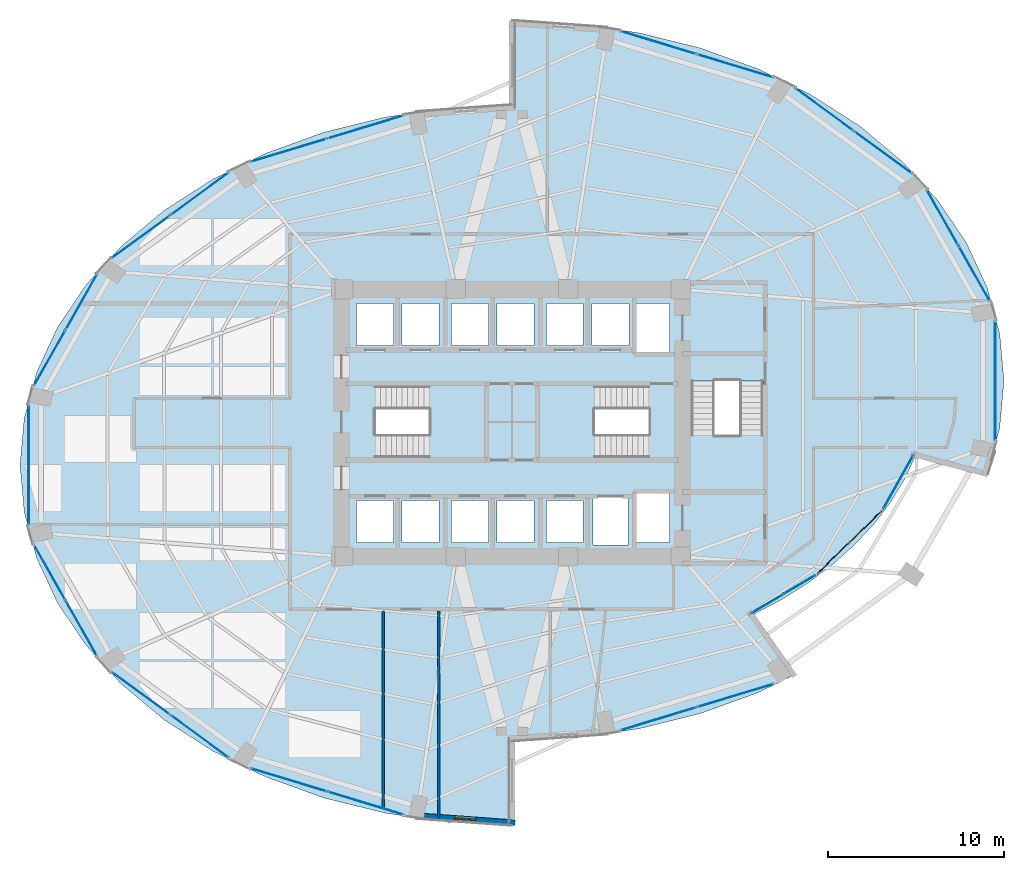
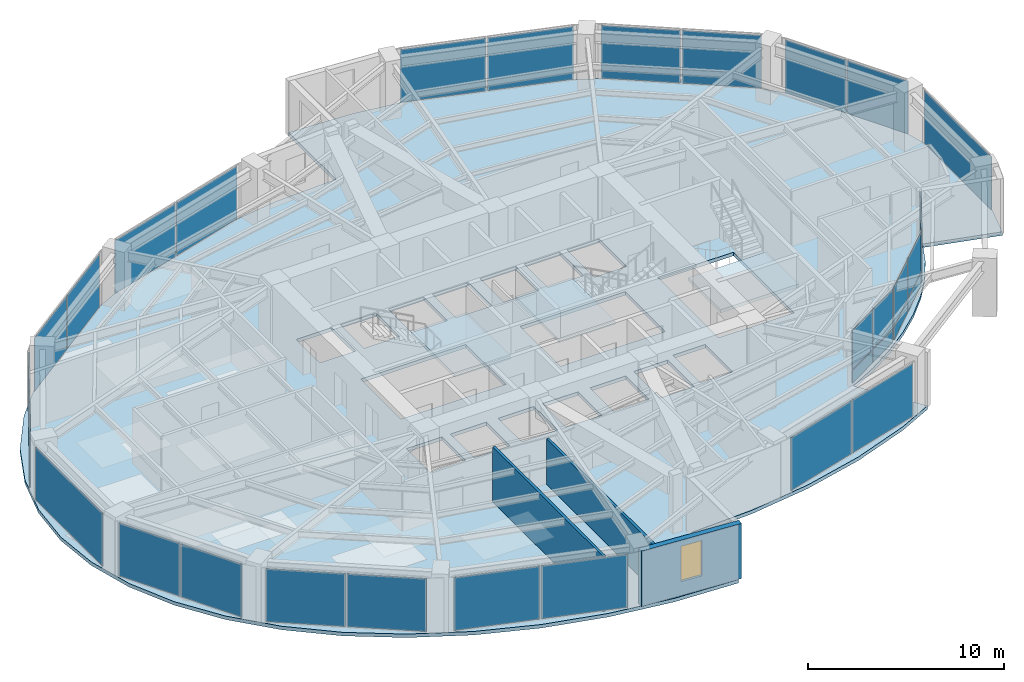
# One storey, part 19 of 24: 32 plates, 4 slabs, 3 walls, 1 window, 1 opening, 18 elements without a shape of their own.
"""IFC4 building model written with IfcOpenShell, lengths in metres."""

from ifc_helpers import new_model, si_unit, direction, frame, frame_2d, origin, origin_2d, place, context, subcontext, project, spatial, polyline, rectangle, outline, extrude, material, layer, layer_set, type_object, element, fill, aggregate, save


model = new_model("IFC4")

# Units and contexts
model_context = context("Model", 3, precision=1e-05, world=origin(), true_north=direction((0.0, 1.0)))
body_context = subcontext(model_context, "Body", "Model", "MODEL_VIEW")
ifc_project = project(units=[si_unit("LENGTHUNIT", "METRE"), si_unit("AREAUNIT", "SQUARE_METRE"), si_unit("VOLUMEUNIT", "CUBIC_METRE"), si_unit("PLANEANGLEUNIT", "RADIAN"), si_unit("MASSUNIT", "GRAM", prefix="KILO")], contexts=[model_context])

# Site, building, storey
site_placement = place(None, origin())
site = spatial("IfcSite", under=ifc_project, at=site_placement, CompositionType="ELEMENT")
building_placement = place(site_placement, origin())
building = spatial("IfcBuilding", under=site, at=building_placement, Name="Lazwardi Medical Tower", CompositionType="ELEMENT")
storey_placement = place(building_placement, frame((0.0, 0.0, 65.327880859375)))
storey = spatial("IfcBuildingStorey", under=building, at=storey_placement, Name="L16", CompositionType="ELEMENT", Elevation=65.327880859375)

# Curtain wall, plates
ifc_material_1 = material(Name="Anodised bronze aluminium and solar control glazing", Category="aluminium")
ifc_layer_1 = layer(ifc_material_1, 0.199951171875)
ifc_layer_set_1 = layer_set([ifc_layer_1], Name="Anodised bronze aluminium and solar control glazing")
curtain_wall_type_1 = type_object("IfcCurtainWallType", Name="CW-SYS-02", PredefinedType="NOTDEFINED", material=ifc_layer_set_1)
curtain_wall_1_placement = place(storey_placement, origin())
curtain_wall_1 = element("IfcCurtainWall", 1, at=curtain_wall_1_placement, inside=storey, type_object=curtain_wall_type_1, Name="L16 Unitised bronze curtain wall CW-02", PredefinedType="NOTDEFINED")
ifc_material_2 = material(Name="Low-e bronze solar control double glazing", Category="glass")
ifc_layer_2 = layer(ifc_material_2, 0.035888671875)
ifc_layer_set_2 = layer_set([ifc_layer_2], Name="Low-e bronze solar control double glazing")
plate_type_1 = type_object("IfcPlateType", Name="PLT-GLZ-01", PredefinedType="CURTAIN_PANEL", material=ifc_layer_set_2)
plate_1_placement = place(storey_placement, frame((44.335693359375, 11.158935546875, 0.0751953125), z_axis=(0.0, 0.0, 1.0), x_axis=(0.957058247129, 0.2898956909, 0.0)))
plate_1 = element("IfcPlate", 2, at=plate_1_placement, type_object=plate_type_1, Name="CW-02 panel 1.1", PredefinedType="CURTAIN_PANEL", context=body_context, shape_type="SweptSolid", body=[
    extrude(rectangle(XDim=4.49658203125, YDim=0.035888671875, at=origin_2d()), origin(), (0.0, 0.0, 1.0), 3.278076171875),
])
plate_2_placement = place(storey_placement, frame((48.7109375, 12.484130859375, 0.0751953125), z_axis=(0.0, 0.0, 1.0), x_axis=(0.957058247129, 0.2898956909, 0.0)))
plate_2 = element("IfcPlate", 3, at=plate_2_placement, type_object=plate_type_1, Name="CW-02 panel 2.1", PredefinedType="CURTAIN_PANEL", context=body_context, shape_type="SweptSolid", body=[
    extrude(rectangle(XDim=4.49658203125, YDim=0.035888671875, at=origin_2d()), origin(), (0.0, 0.0, 1.0), 3.278076171875),
])
aggregate(curtain_wall_1, [plate_1, plate_2])

# Curtain wall, plate
curtain_wall_2_placement = place(storey_placement, origin())
curtain_wall_2 = element("IfcCurtainWall", 4, at=curtain_wall_2_placement, inside=storey, type_object=curtain_wall_type_1, Name="L16 Unitised bronze curtain wall CW-02", PredefinedType="NOTDEFINED")
plate_3_placement = place(storey_placement, frame((63.49853515625, 30.39990234375, 0.0751953125), z_axis=(0.0, 0.0, 1.0), x_axis=(0.0, 1.0, 0.0)))
plate_3 = element("IfcPlate", 5, at=plate_3_placement, type_object=plate_type_1, Name="CW-02 panel 1.1", PredefinedType="CURTAIN_PANEL", context=body_context, shape_type="SweptSolid", body=[
    extrude(rectangle(XDim=6.8330078125, YDim=0.035888671875, at=origin_2d()), origin(), (0.0, 0.0, 1.0), 3.278076171875),
])
aggregate(curtain_wall_2, [plate_3])

# Curtain wall, plates
curtain_wall_3_placement = place(storey_placement, origin())
curtain_wall_3 = element("IfcCurtainWall", 6, at=curtain_wall_3_placement, inside=storey, type_object=curtain_wall_type_1, Name="L16 Unitised bronze curtain wall CW-02", PredefinedType="NOTDEFINED")
plate_4_placement = place(storey_placement, frame((62.3095703125, 36.498779296875, 0.0751953125), z_axis=(0.0, 0.0, 1.0), x_axis=(-0.492854327303, 0.870111838823, 0.0)))
plate_4 = element("IfcPlate", 7, at=plate_4_placement, type_object=plate_type_1, Name="CW-02 panel 1.1", PredefinedType="CURTAIN_PANEL", context=body_context, shape_type="SweptSolid", body=[
    extrude(rectangle(XDim=3.5947265625, YDim=0.035888671875, at=origin_2d()), origin(), (0.0, 0.0, 1.0), 3.278076171875),
])
plate_5_placement = place(storey_placement, frame((60.5009765625, 39.69189453125, 0.0751953125), z_axis=(0.0, 0.0, 1.0), x_axis=(-0.492854327303, 0.870111838823, 0.0)))
plate_5 = element("IfcPlate", 8, at=plate_5_placement, type_object=plate_type_1, Name="CW-02 panel 2.1", PredefinedType="CURTAIN_PANEL", context=body_context, shape_type="SweptSolid", body=[
    extrude(rectangle(XDim=3.5947265625, YDim=0.035888671875, at=origin_2d()), origin(), (0.0, 0.0, 1.0), 3.278076171875),
])
aggregate(curtain_wall_3, [plate_4, plate_5])

curtain_wall_4_placement = place(storey_placement, origin())
curtain_wall_4 = element("IfcCurtainWall", 9, at=curtain_wall_4_placement, inside=storey, type_object=curtain_wall_type_1, Name="L16 Unitised bronze curtain wall CW-02", PredefinedType="NOTDEFINED")
plate_6_placement = place(storey_placement, frame((57.117431640625, 43.39599609375, 0.0751953125), z_axis=(0.0, 0.0, 1.0), x_axis=(-0.807191757663, 0.590289307341, 0.0)))
plate_6 = element("IfcPlate", 10, at=plate_6_placement, type_object=plate_type_1, Name="CW-02 panel 1.1", PredefinedType="CURTAIN_PANEL", context=body_context, shape_type="SweptSolid", body=[
    extrude(rectangle(XDim=4.070068359375, YDim=0.035888671875, at=origin_2d()), origin(), (0.0, 0.0, 1.0), 3.278076171875),
])
plate_7_placement = place(storey_placement, frame((53.771484375, 45.8427734375, 0.0751953125), z_axis=(0.0, 0.0, 1.0), x_axis=(-0.807191757663, 0.590289307341, 0.0)))
plate_7 = element("IfcPlate", 11, at=plate_7_placement, type_object=plate_type_1, Name="CW-02 panel 2.1", PredefinedType="CURTAIN_PANEL", context=body_context, shape_type="SweptSolid", body=[
    extrude(rectangle(XDim=4.070068359375, YDim=0.035888671875, at=origin_2d()), origin(), (0.0, 0.0, 1.0), 3.278076171875),
])
aggregate(curtain_wall_4, [plate_6, plate_7])

curtain_wall_5_placement = place(storey_placement, origin())
curtain_wall_5 = element("IfcCurtainWall", 12, at=curtain_wall_5_placement, inside=storey, type_object=curtain_wall_type_1, Name="L16 Unitised bronze curtain wall CW-02", PredefinedType="NOTDEFINED")
plate_8_placement = place(storey_placement, frame((48.7109375, 48.31591796875, 0.0751953125), z_axis=(0.0, 0.0, 1.0), x_axis=(-0.957058247129, 0.2898956909, 0.0)))
plate_8 = element("IfcPlate", 13, at=plate_8_placement, type_object=plate_type_1, Name="CW-02 panel 1.1", PredefinedType="CURTAIN_PANEL", context=body_context, shape_type="SweptSolid", body=[
    extrude(rectangle(XDim=4.49658203125, YDim=0.035888671875, at=origin_2d()), origin(), (0.0, 0.0, 1.0), 3.278076171875),
])
plate_9_placement = place(storey_placement, frame((44.335693359375, 49.64111328125, 0.0751953125), z_axis=(0.0, 0.0, 1.0), x_axis=(-0.957058247129, 0.2898956909, 0.0)))
plate_9 = element("IfcPlate", 14, at=plate_9_placement, type_object=plate_type_1, Name="CW-02 panel 2.1", PredefinedType="CURTAIN_PANEL", context=body_context, shape_type="SweptSolid", body=[
    extrude(rectangle(XDim=4.49658203125, YDim=0.035888671875, at=origin_2d()), origin(), (0.0, 0.0, 1.0), 3.278076171875),
])
aggregate(curtain_wall_5, [plate_8, plate_9])

curtain_wall_6_placement = place(storey_placement, origin())
curtain_wall_6 = element("IfcCurtainWall", 15, at=curtain_wall_6_placement, inside=storey, type_object=curtain_wall_type_1, Name="L16 Unitised bronze curtain wall CW-02", PredefinedType="NOTDEFINED")
plate_10_placement = place(storey_placement, frame((27.664306640625, 44.841064453125, 0.0751953125), z_axis=(0.0, 0.0, 1.0), x_axis=(-0.957058247129, -0.2898956909, 0.0)))
plate_10 = element("IfcPlate", 16, at=plate_10_placement, type_object=plate_type_1, Name="CW-02 panel 1.1", PredefinedType="CURTAIN_PANEL", context=body_context, shape_type="SweptSolid", body=[
    extrude(rectangle(XDim=4.49658203125, YDim=0.035888671875, at=origin_2d()), origin(), (0.0, 0.0, 1.0), 3.278076171875),
])
plate_11_placement = place(storey_placement, frame((23.2890625, 43.515869140625, 0.0751953125), z_axis=(0.0, 0.0, 1.0), x_axis=(-0.957058247129, -0.2898956909, 0.0)))
plate_11 = element("IfcPlate", 17, at=plate_11_placement, type_object=plate_type_1, Name="CW-02 panel 2.1", PredefinedType="CURTAIN_PANEL", context=body_context, shape_type="SweptSolid", body=[
    extrude(rectangle(XDim=4.49658203125, YDim=0.035888671875, at=origin_2d()), origin(), (0.0, 0.0, 1.0), 3.278076171875),
])
aggregate(curtain_wall_6, [plate_10, plate_11])

curtain_wall_7_placement = place(storey_placement, origin())
curtain_wall_7 = element("IfcCurtainWall", 18, at=curtain_wall_7_placement, inside=storey, type_object=curtain_wall_type_1, Name="L16 Unitised bronze curtain wall CW-02", PredefinedType="NOTDEFINED")
plate_12_placement = place(storey_placement, frame((18.228515625, 41.042724609375, 0.0751953125), z_axis=(0.0, 0.0, 1.0), x_axis=(-0.807191757663, -0.590289307341, 0.0)))
plate_12 = element("IfcPlate", 19, at=plate_12_placement, type_object=plate_type_1, Name="CW-02 panel 1.1", PredefinedType="CURTAIN_PANEL", context=body_context, shape_type="SweptSolid", body=[
    extrude(rectangle(XDim=4.070068359375, YDim=0.035888671875, at=origin_2d()), origin(), (0.0, 0.0, 1.0), 3.278076171875),
])
plate_13_placement = place(storey_placement, frame((14.882568359375, 38.595947265625, 0.0751953125), z_axis=(0.0, 0.0, 1.0), x_axis=(-0.807191757663, -0.590289307341, 0.0)))
plate_13 = element("IfcPlate", 20, at=plate_13_placement, type_object=plate_type_1, Name="CW-02 panel 2.1", PredefinedType="CURTAIN_PANEL", context=body_context, shape_type="SweptSolid", body=[
    extrude(rectangle(XDim=4.070068359375, YDim=0.035888671875, at=origin_2d()), origin(), (0.0, 0.0, 1.0), 3.278076171875),
])
aggregate(curtain_wall_7, [plate_12, plate_13])

curtain_wall_8_placement = place(storey_placement, origin())
curtain_wall_8 = element("IfcCurtainWall", 21, at=curtain_wall_8_placement, inside=storey, type_object=curtain_wall_type_1, Name="L16 Unitised bronze curtain wall CW-02", PredefinedType="NOTDEFINED")
plate_14_placement = place(storey_placement, frame((11.4990234375, 34.89208984375, 0.0751953125), z_axis=(0.0, 0.0, 1.0), x_axis=(-0.492854327303, -0.870111838823, 0.0)))
plate_14 = element("IfcPlate", 22, at=plate_14_placement, type_object=plate_type_1, Name="CW-02 panel 1.1", PredefinedType="CURTAIN_PANEL", context=body_context, shape_type="SweptSolid", body=[
    extrude(rectangle(XDim=3.5947265625, YDim=0.035888671875, at=origin_2d()), origin(), (0.0, 0.0, 1.0), 3.278076171875),
])
plate_15_placement = place(storey_placement, frame((9.6904296875, 31.698974609375, 0.0751953125), z_axis=(0.0, 0.0, 1.0), x_axis=(-0.492854327303, -0.870111838823, 0.0)))
plate_15 = element("IfcPlate", 23, at=plate_15_placement, type_object=plate_type_1, Name="CW-02 panel 2.1", PredefinedType="CURTAIN_PANEL", context=body_context, shape_type="SweptSolid", body=[
    extrude(rectangle(XDim=3.5947265625, YDim=0.035888671875, at=origin_2d()), origin(), (0.0, 0.0, 1.0), 3.278076171875),
])
aggregate(curtain_wall_8, [plate_14, plate_15])

# Curtain wall, plate
curtain_wall_9_placement = place(storey_placement, origin())
curtain_wall_9 = element("IfcCurtainWall", 24, at=curtain_wall_9_placement, inside=storey, type_object=curtain_wall_type_1, Name="L16 Unitised bronze curtain wall CW-02", PredefinedType="NOTDEFINED")
plate_16_placement = place(storey_placement, frame((8.50146484375, 25.60009765625, 0.0751953125), z_axis=(0.0, 0.0, 1.0), x_axis=(0.0, -1.0, 0.0)))
plate_16 = element("IfcPlate", 25, at=plate_16_placement, type_object=plate_type_1, Name="CW-02 panel 1.1", PredefinedType="CURTAIN_PANEL", context=body_context, shape_type="SweptSolid", body=[
    extrude(rectangle(XDim=6.8330078125, YDim=0.035888671875, at=origin_2d()), origin(), (0.0, 0.0, 1.0), 3.278076171875),
])
aggregate(curtain_wall_9, [plate_16])

# Curtain wall, plates
curtain_wall_10_placement = place(storey_placement, origin())
curtain_wall_10 = element("IfcCurtainWall", 26, at=curtain_wall_10_placement, inside=storey, type_object=curtain_wall_type_1, Name="L16 Unitised bronze curtain wall CW-02", PredefinedType="NOTDEFINED")
plate_17_placement = place(storey_placement, frame((9.6904296875, 19.501220703125, 0.0751953125), z_axis=(0.0, 0.0, 1.0), x_axis=(0.492854327303, -0.870111838823, 0.0)))
plate_17 = element("IfcPlate", 27, at=plate_17_placement, type_object=plate_type_1, Name="CW-02 panel 1.1", PredefinedType="CURTAIN_PANEL", context=body_context, shape_type="SweptSolid", body=[
    extrude(rectangle(XDim=3.5947265625, YDim=0.035888671875, at=origin_2d()), origin(), (0.0, 0.0, 1.0), 3.278076171875),
])
plate_18_placement = place(storey_placement, frame((11.4990234375, 16.30810546875, 0.0751953125), z_axis=(0.0, 0.0, 1.0), x_axis=(0.492854327303, -0.870111838823, 0.0)))
plate_18 = element("IfcPlate", 28, at=plate_18_placement, type_object=plate_type_1, Name="CW-02 panel 2.1", PredefinedType="CURTAIN_PANEL", context=body_context, shape_type="SweptSolid", body=[
    extrude(rectangle(XDim=3.5947265625, YDim=0.035888671875, at=origin_2d()), origin(), (0.0, 0.0, 1.0), 3.278076171875),
])
aggregate(curtain_wall_10, [plate_17, plate_18])

curtain_wall_11_placement = place(storey_placement, origin())
curtain_wall_11 = element("IfcCurtainWall", 29, at=curtain_wall_11_placement, inside=storey, type_object=curtain_wall_type_1, Name="L16 Unitised bronze curtain wall CW-02", PredefinedType="NOTDEFINED")
plate_19_placement = place(storey_placement, frame((14.882568359375, 12.60400390625, 0.0751953125), z_axis=(0.0, 0.0, 1.0), x_axis=(0.807191757663, -0.590289307341, 0.0)))
plate_19 = element("IfcPlate", 30, at=plate_19_placement, type_object=plate_type_1, Name="CW-02 panel 1.1", PredefinedType="CURTAIN_PANEL", context=body_context, shape_type="SweptSolid", body=[
    extrude(rectangle(XDim=4.070068359375, YDim=0.035888671875, at=origin_2d()), origin(), (0.0, 0.0, 1.0), 3.278076171875),
])
plate_20_placement = place(storey_placement, frame((18.228515625, 10.1572265625, 0.0751953125), z_axis=(0.0, 0.0, 1.0), x_axis=(0.807191757663, -0.590289307341, 0.0)))
plate_20 = element("IfcPlate", 31, at=plate_20_placement, type_object=plate_type_1, Name="CW-02 panel 2.1", PredefinedType="CURTAIN_PANEL", context=body_context, shape_type="SweptSolid", body=[
    extrude(rectangle(XDim=4.070068359375, YDim=0.035888671875, at=origin_2d()), origin(), (0.0, 0.0, 1.0), 3.278076171875),
])
aggregate(curtain_wall_11, [plate_19, plate_20])

curtain_wall_12_placement = place(storey_placement, origin())
curtain_wall_12 = element("IfcCurtainWall", 32, at=curtain_wall_12_placement, inside=storey, type_object=curtain_wall_type_1, Name="L16 Unitised bronze curtain wall CW-02", PredefinedType="NOTDEFINED")
plate_21_placement = place(storey_placement, frame((23.2890625, 7.68408203125, 0.0751953125), z_axis=(0.0, 0.0, 1.0), x_axis=(0.957058247129, -0.2898956909, 0.0)))
plate_21 = element("IfcPlate", 33, at=plate_21_placement, type_object=plate_type_1, Name="CW-02 panel 1.1", PredefinedType="CURTAIN_PANEL", context=body_context, shape_type="SweptSolid", body=[
    extrude(rectangle(XDim=4.49658203125, YDim=0.035888671875, at=origin_2d()), origin(), (0.0, 0.0, 1.0), 3.278076171875),
])
plate_22_placement = place(storey_placement, frame((27.664306640625, 6.35888671875, 0.0751953125), z_axis=(0.0, 0.0, 1.0), x_axis=(0.957058247129, -0.2898956909, 0.0)))
plate_22 = element("IfcPlate", 34, at=plate_22_placement, type_object=plate_type_1, Name="CW-02 panel 2.1", PredefinedType="CURTAIN_PANEL", context=body_context, shape_type="SweptSolid", body=[
    extrude(rectangle(XDim=4.49658203125, YDim=0.035888671875, at=origin_2d()), origin(), (0.0, 0.0, 1.0), 3.278076171875),
])
aggregate(curtain_wall_12, [plate_21, plate_22])

ifc_layer_3 = layer(ifc_material_1, 0.239990234375)
ifc_layer_set_3 = layer_set([ifc_layer_3], Name="Anodised bronze aluminium and solar control glazing")
curtain_wall_type_2 = type_object("IfcCurtainWallType", Name="CW-SYS-05", PredefinedType="NOTDEFINED", material=ifc_layer_set_3)
curtain_wall_13_placement = place(storey_placement, origin())
curtain_wall_13 = element("IfcCurtainWall", 35, at=curtain_wall_13_placement, inside=storey, type_object=curtain_wall_type_2, Name="L16 Unitised bronze curtain wall CW-05", PredefinedType="NOTDEFINED")
ifc_material_3 = material(Name="Laminated acoustic bronze double glazing", Category="glass")
ifc_layer_4 = layer(ifc_material_3, 0.0419921875)
ifc_layer_set_4 = layer_set([ifc_layer_4], Name="Laminated acoustic bronze double glazing")
plate_type_2 = type_object("IfcPlateType", Name="PLT-GLZ-02", PredefinedType="CURTAIN_PANEL", material=ifc_layer_set_4)
plate_23_placement = place(storey_placement, frame((50.53466796875, 17.711669921875, 0.085205078125), z_axis=(0.0, 0.0, 1.0), x_axis=(0.859770759532, 0.510680174917, 0.0)))
plate_23 = element("IfcPlate", 36, at=plate_23_placement, type_object=plate_type_2, Name="CW-05 panel 1.1", PredefinedType="CURTAIN_PANEL", context=body_context, shape_type="SweptSolid", body=[
    extrude(rectangle(XDim=2.04541015625, YDim=0.0419921875, at=origin_2d()), origin(), (0.0, 0.0, 1.0), 0.7724609375),
])
plate_24_placement = place(storey_placement, frame((50.53466796875, 17.711669921875, 0.942626953125), z_axis=(0.0, 0.0, 1.0), x_axis=(0.859770759532, 0.510680174917, 0.0)))
plate_24 = element("IfcPlate", 37, at=plate_24_placement, type_object=plate_type_2, Name="CW-05 panel 1.2", PredefinedType="CURTAIN_PANEL", context=body_context, shape_type="SweptSolid", body=[
    extrude(rectangle(XDim=2.04541015625, YDim=0.0419921875, at=origin_2d()), origin(), (0.0, 0.0, 1.0), 2.400390625),
])
plate_25_placement = place(storey_placement, frame((52.3662109375, 18.799560546875, 0.085205078125), z_axis=(0.0, 0.0, 1.0), x_axis=(0.859770759532, 0.510680174917, 0.0)))
plate_25 = element("IfcPlate", 38, at=plate_25_placement, type_object=plate_type_2, Name="CW-05 panel 2.1", PredefinedType="CURTAIN_PANEL", context=body_context, shape_type="SweptSolid", body=[
    extrude(rectangle(XDim=2.04541015625, YDim=0.0419921875, at=origin_2d()), origin(), (0.0, 0.0, 1.0), 0.7724609375),
])
plate_26_placement = place(storey_placement, frame((52.3662109375, 18.799560546875, 0.942626953125), z_axis=(0.0, 0.0, 1.0), x_axis=(0.859770759532, 0.510680174917, 0.0)))
plate_26 = element("IfcPlate", 39, at=plate_26_placement, type_object=plate_type_2, Name="CW-05 panel 2.2", PredefinedType="CURTAIN_PANEL", context=body_context, shape_type="SweptSolid", body=[
    extrude(rectangle(XDim=2.04541015625, YDim=0.0419921875, at=origin_2d()), origin(), (0.0, 0.0, 1.0), 2.400390625),
])
aggregate(curtain_wall_13, [plate_23, plate_24, plate_25, plate_26])

curtain_wall_14_placement = place(storey_placement, origin())
curtain_wall_14 = element("IfcCurtainWall", 40, at=curtain_wall_14_placement, inside=storey, type_object=curtain_wall_type_2, Name="L16 Unitised bronze curtain wall CW-05", PredefinedType="NOTDEFINED")
plate_27_placement = place(storey_placement, frame((57.986083984375, 24.63330078125, 0.085205078125), z_axis=(0.0, 0.0, 1.0), x_axis=(0.489795845779, 0.871837157649, 0.0)))
plate_27 = element("IfcPlate", 41, at=plate_27_placement, type_object=plate_type_2, Name="CW-05 panel 1.1", PredefinedType="CURTAIN_PANEL", context=body_context, shape_type="SweptSolid", body=[
    extrude(rectangle(XDim=3.4521484375, YDim=0.0419921875, at=origin_2d()), origin(), (0.0, 0.0, 1.0), 0.7724609375),
])
plate_28_placement = place(storey_placement, frame((57.986083984375, 24.63330078125, 0.942626953125), z_axis=(0.0, 0.0, 1.0), x_axis=(0.489795845779, 0.871837157649, 0.0)))
plate_28 = element("IfcPlate", 42, at=plate_28_placement, type_object=plate_type_2, Name="CW-05 panel 1.2", PredefinedType="CURTAIN_PANEL", context=body_context, shape_type="SweptSolid", body=[
    extrude(rectangle(XDim=3.4521484375, YDim=0.0419921875, at=origin_2d()), origin(), (0.0, 0.0, 1.0), 2.400390625),
])
aggregate(curtain_wall_14, [plate_27, plate_28])

curtain_wall_15_placement = place(storey_placement, origin())
curtain_wall_15 = element("IfcCurtainWall", 43, at=curtain_wall_15_placement, inside=storey, type_object=curtain_wall_type_2, Name="L16 Unitised bronze curtain wall CW-05", PredefinedType="NOTDEFINED")
plate_29_placement = place(storey_placement, frame((54.27880859375, 20.302490234375, 0.085205078125), z_axis=(0.0, 0.0, 1.0), x_axis=(0.715705548753, 0.698402153121, 0.0)))
plate_29 = element("IfcPlate", 44, at=plate_29_placement, type_object=plate_type_2, Name="CW-05 panel 1.1", PredefinedType="CURTAIN_PANEL", context=body_context, shape_type="SweptSolid", body=[
    extrude(rectangle(XDim=2.513671875, YDim=0.0419921875, at=origin_2d()), origin(), (0.0, 0.0, 1.0), 0.7724609375),
])
plate_30_placement = place(storey_placement, frame((54.27880859375, 20.302490234375, 0.942626953125), z_axis=(0.0, 0.0, 1.0), x_axis=(0.715705548753, 0.698402153121, 0.0)))
plate_30 = element("IfcPlate", 45, at=plate_30_placement, type_object=plate_type_2, Name="CW-05 panel 1.2", PredefinedType="CURTAIN_PANEL", context=body_context, shape_type="SweptSolid", body=[
    extrude(rectangle(XDim=2.513671875, YDim=0.0419921875, at=origin_2d()), origin(), (0.0, 0.0, 1.0), 2.400390625),
])
plate_31_placement = place(storey_placement, frame((56.138671875, 22.1171875, 0.085205078125), z_axis=(0.0, 0.0, 1.0), x_axis=(0.715705548753, 0.698402153121, 0.0)))
plate_31 = element("IfcPlate", 46, at=plate_31_placement, type_object=plate_type_2, Name="CW-05 panel 2.1", PredefinedType="CURTAIN_PANEL", context=body_context, shape_type="SweptSolid", body=[
    extrude(rectangle(XDim=2.513671875, YDim=0.0419921875, at=origin_2d()), origin(), (0.0, 0.0, 1.0), 0.7724609375),
])
plate_32_placement = place(storey_placement, frame((56.138671875, 22.1171875, 0.942626953125), z_axis=(0.0, 0.0, 1.0), x_axis=(0.715705548753, 0.698402153121, 0.0)))
plate_32 = element("IfcPlate", 47, at=plate_32_placement, type_object=plate_type_2, Name="CW-05 panel 2.2", PredefinedType="CURTAIN_PANEL", context=body_context, shape_type="SweptSolid", body=[
    extrude(rectangle(XDim=2.513671875, YDim=0.0419921875, at=origin_2d()), origin(), (0.0, 0.0, 1.0), 2.400390625),
])
aggregate(curtain_wall_15, [plate_29, plate_30, plate_31, plate_32])

# Stair, slab
ifc_material_4 = material(Name="Concrete C45/55", Category="concrete")
stair_type = type_object("IfcStairType", Name="STR-WRD", PredefinedType="HALF_TURN_STAIR", material=ifc_material_4)
stair_1_placement = place(storey_placement, origin())
stair_1 = element("IfcStair", 48, at=stair_1_placement, inside=storey, type_object=stair_type, Name="L16 Protected Exit Stair ST1", PredefinedType="HALF_TURN_STAIR")
ifc_layer_5 = layer(ifc_material_4, 0.199951171875)
ifc_layer_set_5 = layer_set([ifc_layer_5], Name="Concrete C45/55")
slab_type_1 = type_object("IfcSlabType", Name="SLB-LND-190", PredefinedType="LANDING", material=ifc_layer_set_5)
slab_1_placement = place(storey_placement, frame((0.0, 0.0, 1.6240234375)))
slab_1 = element("IfcSlab", 49, at=slab_1_placement, type_object=slab_type_1, Name="ST1 landing 1", PredefinedType="LANDING", context=body_context, shape_type="SweptSolid", body=[
    extrude(outline(polyline([(31.27490234375, 25.840087890625), (34.580078125, 25.840087890625), (34.580078125, 30.280029296875), (31.27490234375, 30.280029296875), (31.27490234375, 25.840087890625)])), origin(), (0.0, 0.0, 1.0), 0.2001953125),
])
aggregate(stair_1, [slab_1])

stair_2_placement = place(storey_placement, origin())
stair_2 = element("IfcStair", 50, at=stair_2_placement, inside=storey, type_object=stair_type, Name="L16 Protected Exit Stair ST2", PredefinedType="HALF_TURN_STAIR")
slab_2_placement = place(storey_placement, frame((0.0, 0.0, 1.6240234375)))
slab_2 = element("IfcSlab", 51, at=slab_2_placement, type_object=slab_type_1, Name="ST2 landing 1", PredefinedType="LANDING", context=body_context, shape_type="SweptSolid", body=[
    extrude(outline(polyline([(40.72509765625, 30.280029296875), (37.419921875, 30.280029296875), (37.419921875, 25.840087890625), (40.72509765625, 25.840087890625), (40.72509765625, 30.280029296875)])), origin(), (0.0, 0.0, 1.0), 0.2001953125),
])
aggregate(stair_2, [slab_2])

stair_3_placement = place(storey_placement, origin())
stair_3 = element("IfcStair", 52, at=stair_3_placement, inside=storey, type_object=stair_type, Name="L16 Protected Exit Stair ST3", PredefinedType="HALF_TURN_STAIR")
slab_3_placement = place(storey_placement, frame((0.0, 0.0, 1.6240234375)))
slab_3 = element("IfcSlab", 53, at=slab_3_placement, type_object=slab_type_1, Name="ST3 landing 1", PredefinedType="LANDING", context=body_context, shape_type="SweptSolid", body=[
    extrude(outline(polyline([(45.860107421875, 27.324951171875), (45.860107421875, 24.02001953125), (50.4599609375, 24.02001953125), (50.4599609375, 27.324951171875), (45.860107421875, 27.324951171875)])), origin(), (0.0, 0.0, 1.0), 0.2001953125),
])
aggregate(stair_3, [slab_3])

# Slab
ifc_material_5 = material(Name="Concrete C50/60", Category="concrete")
ifc_layer_6 = layer(ifc_material_5, 0.219970703125)
ifc_layer_set_6 = layer_set([ifc_layer_6], Name="Concrete C50/60")
slab_type_2 = type_object("IfcSlabType", Name="SLB-WRD-220", PredefinedType="FLOOR", material=ifc_layer_set_6)
slab_4_placement = place(storey_placement, frame((0.0, 0.0, -0.219970703125)))
element("IfcSlab", 54, at=slab_4_placement, inside=storey, type_object=slab_type_2, Name="Structural floor slab SF-03 L16", PredefinedType="FLOOR", context=body_context, shape_type="SweptSolid", body=[
    extrude(outline(polyline([(8.239501953125, 22.92431640625), (8.9541015625, 20.294189453125), (10.13134765625, 17.7548828125), (11.751220703125, 15.35009765625), (13.7861328125, 13.120361328125), (16.200927734375, 11.104248046875), (18.95458984375, 9.336181640625), (22.0, 7.846435546875), (25.284912109375, 6.660400390625), (28.753173828125, 5.798583984375), (32.34521484375, 5.275390625), (36.0, 5.10009765625), (36.0, 9.89990234375), (39.65478515625, 10.075439453125), (43.246826171875, 10.598388671875), (46.715087890625, 11.46044921875), (50.0, 12.646484375), (52.031005859375, 13.64013671875), (49.64697265625, 17.044921875), (49.646728515625, 17.04541015625), (49.646484375, 17.0458984375), (49.646240234375, 17.04638671875), (49.646240234375, 17.046875), (49.64599609375, 17.047119140625), (49.64599609375, 17.047607421875), (49.64599609375, 17.048095703125), (49.646240234375, 17.048583984375), (49.646240234375, 17.04931640625), (49.646484375, 17.0498046875), (49.646728515625, 17.050048828125), (49.64697265625, 17.050537109375), (49.647216796875, 17.051025390625), (49.647705078125, 17.05126953125), (49.64794921875, 17.0517578125), (49.648193359375, 17.052001953125), (49.648681640625, 17.05224609375), (51.2958984375, 17.917724609375), (52.826416015625, 18.87841796875), (54.228759765625, 19.926513671875), (55.4921875, 21.05419921875), (56.607666015625, 22.253173828125), (57.56591796875, 23.51416015625), (58.3603515625, 24.827392578125), (58.984619140625, 26.183349609375), (58.984619140625, 26.18359375), (58.985107421875, 26.18408203125), (58.9853515625, 26.1845703125), (58.985595703125, 26.184814453125), (58.986083984375, 26.185302734375), (58.986328125, 26.185546875), (58.98681640625, 26.185791015625), (58.9873046875, 26.185791015625), (58.98779296875, 26.18603515625), (58.98828125, 26.186279296875), (58.98876953125, 26.186279296875), (58.9892578125, 26.186279296875), (58.98974609375, 26.18603515625), (58.990234375, 26.18603515625), (63.047119140625, 25.09912109375), (63.047119140625, 25.09912109375), (63.760498046875, 27.72412109375), (64.0, 30.39990234375), (63.760498046875, 33.07568359375), (63.0458984375, 35.705810546875), (61.86865234375, 38.2451171875), (60.248779296875, 40.64990234375), (58.2138671875, 42.879638671875), (55.799072265625, 44.895751953125), (53.04541015625, 46.663818359375), (50.0, 48.153564453125), (46.715087890625, 49.339599609375), (43.246826171875, 50.201416015625), (39.65478515625, 50.724609375), (36.0, 50.89990234375), (36.0, 46.10009765625), (32.34521484375, 45.924560546875), (28.753173828125, 45.401611328125), (25.284912109375, 44.53955078125), (22.0, 43.353515625), (18.95458984375, 41.86376953125), (16.200927734375, 40.095703125), (13.7861328125, 38.07958984375), (11.751220703125, 35.85009765625), (10.13134765625, 33.445068359375), (8.9541015625, 30.90576171875), (8.239501953125, 28.27587890625), (8.0, 25.60009765625), (8.239501953125, 22.92431640625)]), holes=[polyline([(28.22509765625, 26.02001953125), (28.22509765625, 30.10009765625), (34.39990234375, 30.10009765625), (34.39990234375, 26.02001953125), (28.22509765625, 26.02001953125)]), polyline([(37.60009765625, 30.10009765625), (43.77490234375, 30.10009765625), (43.77490234375, 26.02001953125), (37.60009765625, 26.02001953125), (37.60009765625, 30.10009765625)]), polyline([(50.280029296875, 30.375), (50.280029296875, 24.179931640625), (45.840087890625, 24.179931640625), (45.840087890625, 30.375), (50.280029296875, 30.375)]), polyline([(29.25, 32.39990234375), (27.14990234375, 32.39990234375), (27.14990234375, 34.800048828125), (29.25, 34.800048828125), (29.25, 32.39990234375)]), polyline([(29.75, 32.39990234375), (29.75, 34.800048828125), (31.85009765625, 34.800048828125), (31.85009765625, 32.39990234375), (29.75, 32.39990234375)]), polyline([(27.14990234375, 23.60009765625), (29.25, 23.60009765625), (29.25, 21.199951171875), (27.14990234375, 21.199951171875), (27.14990234375, 23.60009765625)]), polyline([(31.85009765625, 23.60009765625), (31.85009765625, 21.199951171875), (29.75, 21.199951171875), (29.75, 23.60009765625), (31.85009765625, 23.60009765625)]), polyline([(34.64990234375, 32.39990234375), (32.550048828125, 32.39990234375), (32.550048828125, 34.800048828125), (34.64990234375, 34.800048828125), (34.64990234375, 32.39990234375)]), polyline([(35.14990234375, 32.39990234375), (35.14990234375, 34.800048828125), (37.25, 34.800048828125), (37.25, 32.39990234375), (35.14990234375, 32.39990234375)]), polyline([(32.550048828125, 23.60009765625), (34.64990234375, 23.60009765625), (34.64990234375, 21.199951171875), (32.550048828125, 21.199951171875), (32.550048828125, 23.60009765625)]), polyline([(37.25, 23.60009765625), (37.25, 21.199951171875), (35.14990234375, 21.199951171875), (35.14990234375, 23.60009765625), (37.25, 23.60009765625)]), polyline([(40.050048828125, 32.39990234375), (37.949951171875, 32.39990234375), (37.949951171875, 34.800048828125), (40.050048828125, 34.800048828125), (40.050048828125, 32.39990234375)]), polyline([(40.550048828125, 32.39990234375), (40.550048828125, 34.800048828125), (42.64990234375, 34.800048828125), (42.64990234375, 32.39990234375), (40.550048828125, 32.39990234375)]), polyline([(37.949951171875, 23.60009765625), (40.050048828125, 23.60009765625), (40.050048828125, 21.199951171875), (37.949951171875, 21.199951171875), (37.949951171875, 23.60009765625)]), polyline([(44.949951171875, 34.800048828125), (44.949951171875, 32.0), (43.050048828125, 32.0), (43.050048828125, 34.800048828125), (44.949951171875, 34.800048828125)]), polyline([(44.949951171875, 21.199951171875), (43.050048828125, 21.199951171875), (43.050048828125, 24.0), (44.949951171875, 24.0), (44.949951171875, 21.199951171875)]), polyline([(40.60009765625, 21.050048828125), (40.60009765625, 23.75), (42.60009765625, 23.75), (42.60009765625, 21.050048828125), (40.60009765625, 21.050048828125)])]), origin(), (0.0, 0.0, 1.0), 0.219970703125),
])

# Wall, opening, window
ifc_material_6 = material(Name="Precast concrete C45/55", Category="concrete")
ifc_layer_7 = layer(ifc_material_6, 0.320068359375)
ifc_layer_set_7 = layer_set([ifc_layer_7], Name="Precast concrete C45/55")
wall_type_1 = type_object("IfcWallType", Name="WL-IWAN-320", PredefinedType="SOLIDWALL", material=ifc_layer_set_7)
wall_1_placement = place(storey_placement, frame((30.518798828125, 5.654296875, 0.0), z_axis=(0.0, 0.0, 1.0), x_axis=(0.997421878774, -0.071760683825, 0.0)))
wall_1 = element("IfcWall", 55, at=wall_1_placement, inside=storey, type_object=wall_type_1, Name="L16 Iwan Portal Return Wall SW_ret", PredefinedType="SOLIDWALL", context=body_context, shape_type="SweptSolid", body=[
    extrude(rectangle(XDim=5.6748046875, YDim=0.320068359375, at=frame_2d((2.83740234375, 0.0))), origin(), (0.0, 0.0, 1.0), 3.42822265625),
])
opening_placement = place(wall_1_placement, frame((2.2373046875, 0.0, 0.85009765625)))
opening = element("IfcOpeningElement", 56, at=opening_placement, cuts=wall_1, Name="Opening WN-01", PredefinedType="OPENING", context=body_context, shape_type="SweptSolid", body=[
    extrude(rectangle(XDim=1.199951171875, YDim=2.199951171875, at=frame_2d((0.60009765625, 1.10009765625))), frame((0.0, 0.169921875, 0.0), z_axis=(0.0, -1.0, 0.0), x_axis=(1.0, 0.0, 0.0)), (0.0, 0.0, 1.0), 0.340087890625),
])
window_type = type_object("IfcWindowType", Name="WIN-IW-1200", PartitioningType="SINGLE_PANEL", PredefinedType="WINDOW", material=ifc_material_2)
window_placement = place(opening_placement, origin())
window = element("IfcWindow", 57, at=window_placement, inside=storey, type_object=window_type, Name="L16 Iwan Slot Window SW_ret", OverallHeight=2.199951171875, OverallWidth=1.199951171875, PartitioningType="SINGLE_PANEL", PredefinedType="WINDOW", context=body_context, shape_type="SweptSolid", body=[
    extrude(rectangle(XDim=1.199951171875, YDim=2.199951171875, at=frame_2d((0.60009765625, 1.10009765625))), frame((0.0, 0.030029296875, 0.0), z_axis=(0.0, -1.0, 0.0), x_axis=(1.0, 0.0, 0.0)), (0.0, 0.0, 1.0), 0.06005859375),
])
fill(opening, window)

# Walls
ifc_material_7 = material(Name="Acoustic gypsum board partition")
ifc_layer_8 = layer(ifc_material_7, 0.14990234375)
ifc_layer_set_8 = layer_set([ifc_layer_8], Name="Acoustic gypsum board partition")
wall_type_2 = type_object("IfcWallType", Name="WL-WRD-150", PredefinedType="PARTITIONING", material=ifc_layer_set_8)
wall_2_placement = place(storey_placement, frame((28.669921875, 6.066650390625, 0.0), z_axis=(0.0, 0.0, 1.0), x_axis=(0.0, 1.0, 0.0)))
element("IfcWall", 58, at=wall_2_placement, inside=storey, type_object=wall_type_2, Name="L16 Room partition 5", PredefinedType="PARTITIONING", context=body_context, shape_type="SweptSolid", body=[
    extrude(rectangle(XDim=11.243408203125, YDim=0.14990234375, at=frame_2d((5.62158203125, 0.0))), origin(), (0.0, 0.0, 1.0), 3.42822265625),
])
wall_3_placement = place(storey_placement, frame((31.830078125, 5.548095703125, 0.0), z_axis=(0.0, 0.0, 1.0), x_axis=(0.0, 1.0, 0.0)))
element("IfcWall", 59, at=wall_3_placement, inside=storey, type_object=wall_type_2, Name="L16 Room partition 6", PredefinedType="PARTITIONING", context=body_context, shape_type="SweptSolid", body=[
    extrude(rectangle(XDim=11.761962890625, YDim=0.14990234375, at=frame_2d((5.880859375, 0.0))), origin(), (0.0, 0.0, 1.0), 2.813232421875),
])

save(model, "model.ifc")
